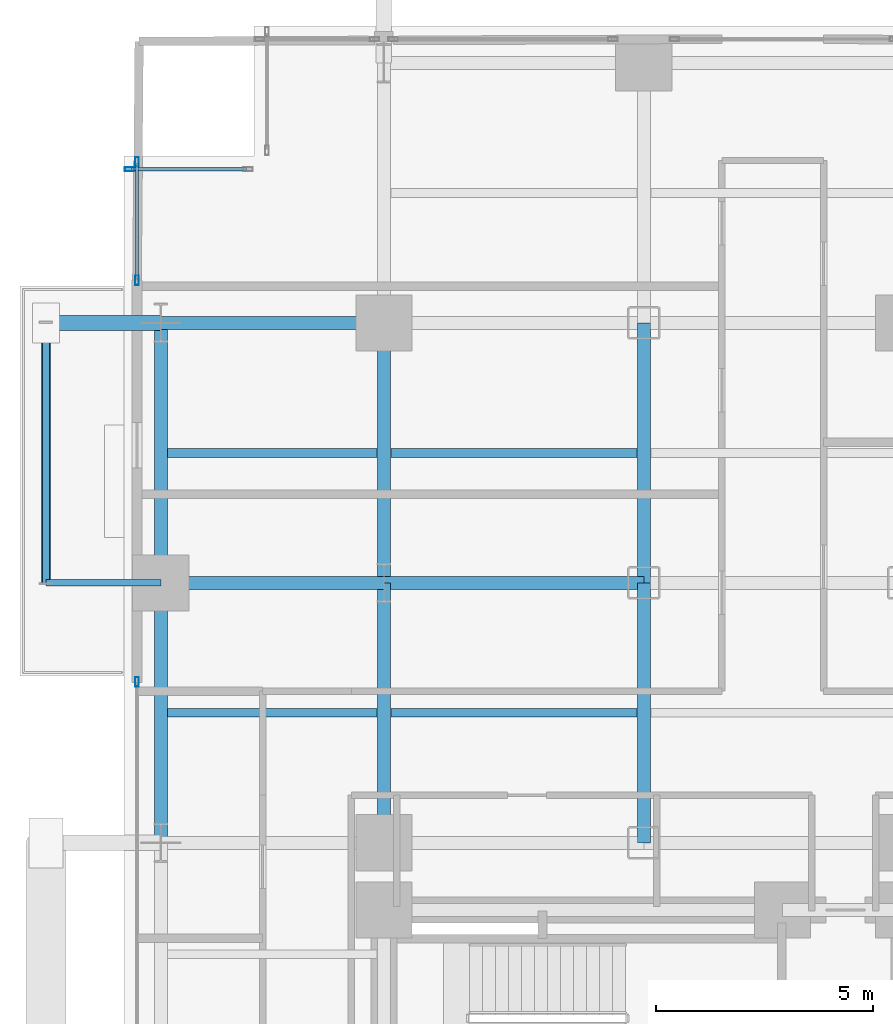
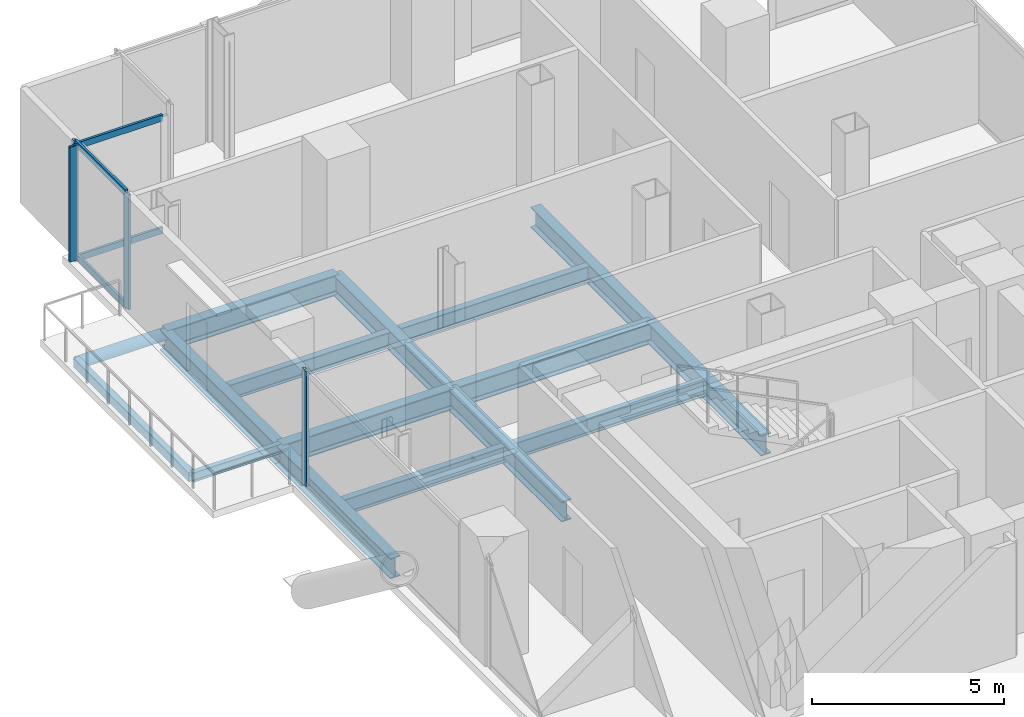
# One storey, part 13 of 27: 15 beams, 9 members, 3 elements without a shape of their own.
"""IFC4 building model written with IfcOpenShell, lengths in metres."""

from ifc_helpers import new_model, si_unit, direction, frame, origin, origin_2d, place, context, subcontext, project, spatial, hollow_rectangle, hollow_circle, i_section, extrude, material, layer, layer_set, material_profile, profile_set, type_object, element, aggregate, save


model = new_model("IFC4")

# Units and contexts
model_context = context("Model", 3, precision=1e-05, world=origin(), true_north=direction((0.0, 1.0)))
body_context = subcontext(model_context, "Body", "Model", "MODEL_VIEW")
ifc_project = project(units=[si_unit("LENGTHUNIT", "METRE"), si_unit("AREAUNIT", "SQUARE_METRE"), si_unit("VOLUMEUNIT", "CUBIC_METRE"), si_unit("PLANEANGLEUNIT", "RADIAN"), si_unit("MASSUNIT", "GRAM", prefix="KILO"), si_unit("THERMODYNAMICTEMPERATUREUNIT", "KELVIN"), si_unit("POWERUNIT", "WATT")], contexts=[model_context])

# Site, building, storey
site_placement = place(None, origin())
site = spatial("IfcSite", under=ifc_project, at=site_placement, CompositionType="ELEMENT")
building_placement = place(site_placement, origin())
building = spatial("IfcBuilding", under=site, at=building_placement, Name="Svarakhadi Broadcast Tower", CompositionType="ELEMENT")
storey_placement = place(building_placement, frame((0.0, 0.0, 71.39990234375)))
storey = spatial("IfcBuildingStorey", under=building, at=storey_placement, Name="L16", CompositionType="ELEMENT", Elevation=71.39990234375)

# Beams
ifc_material_1 = material(Name="Steel S355J2 (IS 2062 E350C)", Category="steel")
ifc_material_profile_1 = material_profile(ifc_material_1, i_section(OverallWidth=0.199951171875, OverallDepth=0.5, WebThickness=0.01025390625, FlangeThickness=0.01611328125, FilletRadius=0.02099609375, at=origin_2d()), Name="NPB 500x200x91")
ifc_profile_set_1 = profile_set([ifc_material_profile_1], Name="Steel S355J2 (IS 2062 E350C)")
beam_type_1 = type_object("IfcBeamType", Name="Beam_NPB500", PredefinedType="BEAM", material=ifc_profile_set_1)
for number, where, z_axis, x_axis, name in (
    (1, (1.010009765625, 32.14990234375, -0.5), (1.0, 0.0, 0.0), (0.0, 1.0, 0.0), "L16 Secondary Composite Beam SB005"),
    (2, (1.010009765625, 38.14990234375, -0.5), (1.0, 0.0, 0.0), (0.0, 1.0, 0.0), "L16 Secondary Composite Beam SB006"),
):
    element("IfcBeam", number, at=place(storey_placement, frame(where, z_axis=z_axis, x_axis=x_axis)), inside=storey, type_object=beam_type_1, Name=name, PredefinedType="BEAM", context=body_context, shape_type="SweptSolid", body=[
        extrude(i_section(OverallWidth=0.199951171875, OverallDepth=0.5, WebThickness=0.01025390625, FlangeThickness=0.01611328125, FilletRadius=0.02099609375, at=origin_2d()), origin(), (0.0, 0.0, 1.0), 4.830078125),
    ])
for number, where, z_axis, x_axis, name in (
    (3, (6.159912109375, 32.14990234375, -0.5), (1.0, 0.0, 0.0), (0.0, 1.0, 0.0), "L16 Secondary Composite Beam SB010"),
    (4, (6.159912109375, 38.14990234375, -0.5), (1.0, 0.0, 0.0), (0.0, 1.0, 0.0), "L16 Secondary Composite Beam SB011"),
):
    element("IfcBeam", number, at=place(storey_placement, frame(where, z_axis=z_axis, x_axis=x_axis)), inside=storey, type_object=beam_type_1, Name=name, PredefinedType="BEAM", context=body_context, shape_type="SweptSolid", body=[
        extrude(i_section(OverallWidth=0.199951171875, OverallDepth=0.5, WebThickness=0.01025390625, FlangeThickness=0.01611328125, FilletRadius=0.02099609375, at=origin_2d()), origin(), (0.0, 0.0, 1.0), 5.68017578125),
    ])

# Curtain wall, member
ifc_material_2 = material(Name="Anodised Bronze Aluminium AA 6063-T6", Category="aluminium")
ifc_layer = layer(ifc_material_2, 0.219970703125)
ifc_layer_set = layer_set([ifc_layer], Name="Anodised Bronze Aluminium AA 6063-T6")
curtain_wall_type = type_object("IfcCurtainWallType", Name="CW_Sys_02", PredefinedType="NOTDEFINED", material=ifc_layer_set)
curtain_wall_1_placement = place(storey_placement, origin())
curtain_wall_1 = element("IfcCurtainWall", 5, at=curtain_wall_1_placement, inside=storey, type_object=curtain_wall_type, Name="L16 West Curtain Wall 02 Bay 3", PredefinedType="NOTDEFINED")
ifc_material_profile_2 = material_profile(ifc_material_2, hollow_rectangle(XDim=0.0849609375, YDim=0.219970703125, WallThickness=0.006103515625, at=origin_2d()), Name="ALU MULLION 220x85x6")
ifc_profile_set_2 = profile_set([ifc_material_profile_2], Name="Anodised Bronze Aluminium AA 6063-T6")
member_type_1 = type_object("IfcMemberType", Name="CW_Sys_02_Mul", PredefinedType="MULLION", material=ifc_profile_set_2)
member_1_placement = place(storey_placement, frame((0.300048828125, 32.867431640625, 0.0), z_axis=(0.0, 0.0, 1.0), x_axis=(-1.0, 0.0, 0.0)))
member_1 = element("IfcMember", 6, at=member_1_placement, type_object=member_type_1, Name="CW-02 mullion 2", PredefinedType="MULLION", context=body_context, shape_type="SweptSolid", body=[
    extrude(hollow_rectangle(XDim=0.0849609375, YDim=0.219970703125, WallThickness=0.006103515625, at=origin_2d()), origin(), (0.0, 0.0, 1.0), 3.650146484375),
])
aggregate(curtain_wall_1, [member_1])

# Curtain wall, members
curtain_wall_2_placement = place(storey_placement, origin())
curtain_wall_2 = element("IfcCurtainWall", 7, at=curtain_wall_2_placement, inside=storey, type_object=curtain_wall_type, Name="L16 West Curtain Wall 03", PredefinedType="NOTDEFINED")
member_2_placement = place(storey_placement, frame((0.300048828125, 42.132568359375, 0.0), z_axis=(0.0, 0.0, 1.0), x_axis=(-1.0, 0.0, 0.0)))
member_2 = element("IfcMember", 8, at=member_2_placement, type_object=member_type_1, Name="CW-02 mullion 1", PredefinedType="MULLION", context=body_context, shape_type="SweptSolid", body=[
    extrude(hollow_rectangle(XDim=0.0849609375, YDim=0.219970703125, WallThickness=0.006103515625, at=origin_2d()), origin(), (0.0, 0.0, 1.0), 3.650146484375),
])
member_3_placement = place(storey_placement, frame((0.300048828125, 44.867431640625, 0.0), z_axis=(0.0, 0.0, 1.0), x_axis=(-1.0, 0.0, 0.0)))
member_3 = element("IfcMember", 9, at=member_3_placement, type_object=member_type_1, Name="CW-02 mullion 2", PredefinedType="MULLION", context=body_context, shape_type="SweptSolid", body=[
    extrude(hollow_rectangle(XDim=0.0849609375, YDim=0.219970703125, WallThickness=0.006103515625, at=origin_2d()), origin(), (0.0, 0.0, 1.0), 3.650146484375),
])

# Curtain wall, member
curtain_wall_3_placement = place(storey_placement, origin())
curtain_wall_3 = element("IfcCurtainWall", 10, at=curtain_wall_3_placement, inside=storey, type_object=curtain_wall_type, Name="L16 Unitised Facade Curtain Wall 04", PredefinedType="NOTDEFINED")
member_4_placement = place(storey_placement, frame((0.132568359375, 44.699951171875, 0.0), z_axis=(0.0, 0.0, 1.0), x_axis=(0.0, 1.0, 0.0)))
member_4 = element("IfcMember", 11, at=member_4_placement, type_object=member_type_1, Name="CW-02 mullion 1", PredefinedType="MULLION", context=body_context, shape_type="SweptSolid", body=[
    extrude(hollow_rectangle(XDim=0.0849609375, YDim=0.219970703125, WallThickness=0.006103515625, at=origin_2d()), origin(), (0.0, 0.0, 1.0), 3.650146484375),
])

# Member
ifc_material_profile_3 = material_profile(ifc_material_2, hollow_rectangle(XDim=0.074951171875, YDim=0.199951171875, WallThickness=0.0048828125, at=origin_2d()), Name="ALU TRANSOM 200x75x5")
ifc_profile_set_3 = profile_set([ifc_material_profile_3], Name="Anodised Bronze Aluminium AA 6063-T6")
member_type_2 = type_object("IfcMemberType", Name="CW_Sys_02_Trn", PredefinedType="USERDEFINED", material=ifc_profile_set_3)
member_5_placement = place(storey_placement, frame((0.300048828125, 42.175048828125, 0.03759765625), z_axis=(0.0, 1.0, 0.0), x_axis=(-1.0, 0.0, 0.0)))
member_5 = element("IfcMember", 12, at=member_5_placement, type_object=member_type_2, Name="CW-02 transom 1.1", ObjectType="TRANSOM", PredefinedType="USERDEFINED", context=body_context, shape_type="SweptSolid", body=[
    extrude(hollow_rectangle(XDim=0.074951171875, YDim=0.199951171875, WallThickness=0.0048828125, at=origin_2d()), origin(), (0.0, 0.0, 1.0), 2.64990234375),
])

member_6_placement = place(storey_placement, frame((0.300048828125, 42.175048828125, 3.612548828125), z_axis=(0.0, 1.0, 0.0), x_axis=(-1.0, 0.0, 0.0)))
member_6 = element("IfcMember", 13, at=member_6_placement, type_object=member_type_2, Name="CW-02 transom 1.2", ObjectType="TRANSOM", PredefinedType="USERDEFINED", context=body_context, shape_type="SweptSolid", body=[
    extrude(hollow_rectangle(XDim=0.074951171875, YDim=0.199951171875, WallThickness=0.0048828125, at=origin_2d()), origin(), (0.0, 0.0, 1.0), 2.64990234375),
])

aggregate(curtain_wall_2, [member_2, member_3, member_5, member_6])

member_7_placement = place(storey_placement, frame((0.175048828125, 44.699951171875, 0.03759765625), z_axis=(1.0, 0.0, 0.0), x_axis=(0.0, 1.0, 0.0)))
member_7 = element("IfcMember", 14, at=member_7_placement, type_object=member_type_2, Name="CW-02 transom 1.1", ObjectType="TRANSOM", PredefinedType="USERDEFINED", context=body_context, shape_type="SweptSolid", body=[
    extrude(hollow_rectangle(XDim=0.074951171875, YDim=0.199951171875, WallThickness=0.0048828125, at=origin_2d()), origin(), (0.0, 0.0, 1.0), 2.64990234375),
])

member_8_placement = place(storey_placement, frame((0.175048828125, 44.699951171875, 3.612548828125), z_axis=(1.0, 0.0, 0.0), x_axis=(0.0, 1.0, 0.0)))
member_8 = element("IfcMember", 15, at=member_8_placement, type_object=member_type_2, Name="CW-02 transom 1.2", ObjectType="TRANSOM", PredefinedType="USERDEFINED", context=body_context, shape_type="SweptSolid", body=[
    extrude(hollow_rectangle(XDim=0.074951171875, YDim=0.199951171875, WallThickness=0.0048828125, at=origin_2d()), origin(), (0.0, 0.0, 1.0), 2.64990234375),
])

aggregate(curtain_wall_3, [member_4, member_7, member_8])

ifc_material_3 = material(Name="Steel S460ML (IS 2062 E450BR)", Category="steel")
ifc_material_profile_4 = material_profile(ifc_material_3, hollow_circle(Radius=0.177734375, WallThickness=0.02001953125, at=origin_2d()), Name="CHS 355.6x20")
ifc_profile_set_4 = profile_set([ifc_material_profile_4], Name="Steel S460ML (IS 2062 E450BR)")
member_type_3 = type_object("IfcMemberType", Name="Exo_Radial_Strut_Z1", PredefinedType="STRUT", material=ifc_profile_set_4)
member_9_placement = place(storey_placement, frame((-1.800048828125, 41.14990234375, -0.427734375), z_axis=(1.0, 0.0, 0.0), x_axis=(0.0, 1.0, 0.0)))
element("IfcMember", 16, at=member_9_placement, inside=storey, type_object=member_type_3, Name="L16 Exoskeleton Radial Tie Strut W08", PredefinedType="STRUT", context=body_context, shape_type="SweptSolid", body=[
    extrude(hollow_circle(Radius=0.177734375, WallThickness=0.02001953125, at=origin_2d()), origin(), (0.0, 0.0, 1.0), 2.650146484375),
])

# Beams
ifc_material_profile_5 = material_profile(ifc_material_1, i_section(OverallWidth=0.300048828125, OverallDepth=0.64990234375, WebThickness=0.01611328125, FlangeThickness=0.031005859375, FilletRadius=0.027099609375, at=origin_2d()), Name="WPB 650x300x225")
ifc_profile_set_5 = profile_set([ifc_material_profile_5], Name="Steel S355J2 (IS 2062 E350C)")
beam_type_2 = type_object("IfcBeamType", Name="Girder_WPB650", PredefinedType="USERDEFINED", material=ifc_profile_set_5)
beam_1_placement = place(storey_placement, frame((0.85009765625, 35.14990234375, -0.574951171875), z_axis=(1.0, 0.0, 0.0), x_axis=(0.0, 1.0, 0.0)))
element("IfcBeam", 17, at=beam_1_placement, inside=storey, type_object=beam_type_2, Name="L16 Primary E-W Girder G037", ObjectType="GIRDER", PredefinedType="USERDEFINED", context=body_context, shape_type="SweptSolid", body=[
    extrude(i_section(OverallWidth=0.300048828125, OverallDepth=0.64990234375, WebThickness=0.01611328125, FlangeThickness=0.031005859375, FilletRadius=0.027099609375, at=origin_2d()), origin(), (0.0, 0.0, 1.0), 5.14990234375),
])
beam_2_placement = place(storey_placement, frame((6.0, 35.14990234375, -0.574951171875), z_axis=(1.0, 0.0, 0.0), x_axis=(0.0, 1.0, 0.0)))
element("IfcBeam", 18, at=beam_2_placement, inside=storey, type_object=beam_type_2, Name="L16 Primary E-W Girder G038", ObjectType="GIRDER", PredefinedType="USERDEFINED", context=body_context, shape_type="SweptSolid", body=[
    extrude(i_section(OverallWidth=0.300048828125, OverallDepth=0.64990234375, WebThickness=0.01611328125, FlangeThickness=0.031005859375, FilletRadius=0.027099609375, at=origin_2d()), origin(), (0.0, 0.0, 1.0), 6.0),
])
beam_3_placement = place(storey_placement, frame((0.85009765625, 41.14990234375, -0.574951171875), z_axis=(1.0, 0.0, 0.0), x_axis=(0.0, 1.0, 0.0)))
element("IfcBeam", 19, at=beam_3_placement, inside=storey, type_object=beam_type_2, Name="L16 Primary E-W Girder G040", ObjectType="GIRDER", PredefinedType="USERDEFINED", context=body_context, shape_type="SweptSolid", body=[
    extrude(i_section(OverallWidth=0.300048828125, OverallDepth=0.64990234375, WebThickness=0.01611328125, FlangeThickness=0.031005859375, FilletRadius=0.027099609375, at=origin_2d()), origin(), (0.0, 0.0, 1.0), 5.14990234375),
])
for number, where, z_axis, x_axis, name in (
    (20, (0.85009765625, 29.14990234375, -0.574951171875), (0.0, 1.0, 0.0), (-1.0, 0.0, 0.0), "L16 Primary N-S Girder G049"),
    (21, (0.85009765625, 35.14990234375, -0.574951171875), (0.0, 1.0, 0.0), (-1.0, 0.0, 0.0), "L16 Primary N-S Girder G050"),
    (22, (6.0, 29.14990234375, -0.574951171875), (0.0, 1.0, 0.0), (-1.0, 0.0, 0.0), "L16 Primary N-S Girder G055"),
    (23, (6.0, 35.14990234375, -0.574951171875), (0.0, 1.0, 0.0), (-1.0, 0.0, 0.0), "L16 Primary N-S Girder G056"),
    (24, (12.0, 29.14990234375, -0.574951171875), (0.0, 1.0, 0.0), (-1.0, 0.0, 0.0), "L16 Primary N-S Girder G061"),
    (25, (12.0, 35.14990234375, -0.574951171875), (0.0, 1.0, 0.0), (-1.0, 0.0, 0.0), "L16 Primary N-S Girder G062"),
):
    element("IfcBeam", number, at=place(storey_placement, frame(where, z_axis=z_axis, x_axis=x_axis)), inside=storey, type_object=beam_type_2, Name=name, ObjectType="GIRDER", PredefinedType="USERDEFINED", context=body_context, shape_type="SweptSolid", body=[
        extrude(i_section(OverallWidth=0.300048828125, OverallDepth=0.64990234375, WebThickness=0.01611328125, FlangeThickness=0.031005859375, FilletRadius=0.027099609375, at=origin_2d()), origin(), (0.0, 0.0, 1.0), 6.0),
    ])
ifc_material_profile_6 = material_profile(ifc_material_1, i_section(OverallWidth=0.14990234375, OverallDepth=0.300048828125, WebThickness=0.007080078125, FlangeThickness=0.0107421875, FilletRadius=0.014892578125, at=origin_2d()), Name="NPB 300x150x37")
ifc_profile_set_6 = profile_set([ifc_material_profile_6], Name="Steel S355J2 (IS 2062 E350C)")
beam_type_3 = type_object("IfcBeamType", Name="Spandrel_NPB300", PredefinedType="SPANDREL", material=ifc_profile_set_6)
beam_4_placement = place(storey_placement, frame((0.85009765625, 35.14990234375, -0.39990234375), z_axis=(-1.0, 0.0, 0.0), x_axis=(0.0, -1.0, 0.0)))
element("IfcBeam", 26, at=beam_4_placement, inside=storey, type_object=beam_type_3, Name="L16 Balcony Cantilever Bracket 2A", PredefinedType="SPANDREL", context=body_context, shape_type="SweptSolid", body=[
    extrude(i_section(OverallWidth=0.14990234375, OverallDepth=0.300048828125, WebThickness=0.007080078125, FlangeThickness=0.0107421875, FilletRadius=0.014892578125, at=origin_2d()), origin(), (0.0, 0.0, 1.0), 2.650146484375),
])
ifc_material_profile_7 = material_profile(ifc_material_3, hollow_rectangle(XDim=0.199951171875, YDim=0.300048828125, WallThickness=0.012451171875, InnerFilletRadius=0.012451171875, OuterFilletRadius=0.02490234375, at=origin_2d()), Name="RHS 300x200x12.5")
ifc_profile_set_7 = profile_set([ifc_material_profile_7], Name="Steel S460ML (IS 2062 E450BR)")
beam_type_4 = type_object("IfcBeamType", Name="Spandrel_RHS300", PredefinedType="SPANDREL", material=ifc_profile_set_7)
beam_5_placement = place(storey_placement, frame((-1.800048828125, 35.14990234375, -0.39990234375), z_axis=(0.0, 1.0, 0.0), x_axis=(-1.0, 0.0, 0.0)))
element("IfcBeam", 27, at=beam_5_placement, inside=storey, type_object=beam_type_4, Name="L16 Balcony Outer Spandrel 2F", PredefinedType="SPANDREL", context=body_context, shape_type="SweptSolid", body=[
    extrude(hollow_rectangle(XDim=0.199951171875, YDim=0.300048828125, WallThickness=0.012451171875, InnerFilletRadius=0.012451171875, OuterFilletRadius=0.02490234375, at=origin_2d()), origin(), (0.0, 0.0, 1.0), 6.0),
])

save(model, "model.ifc")
